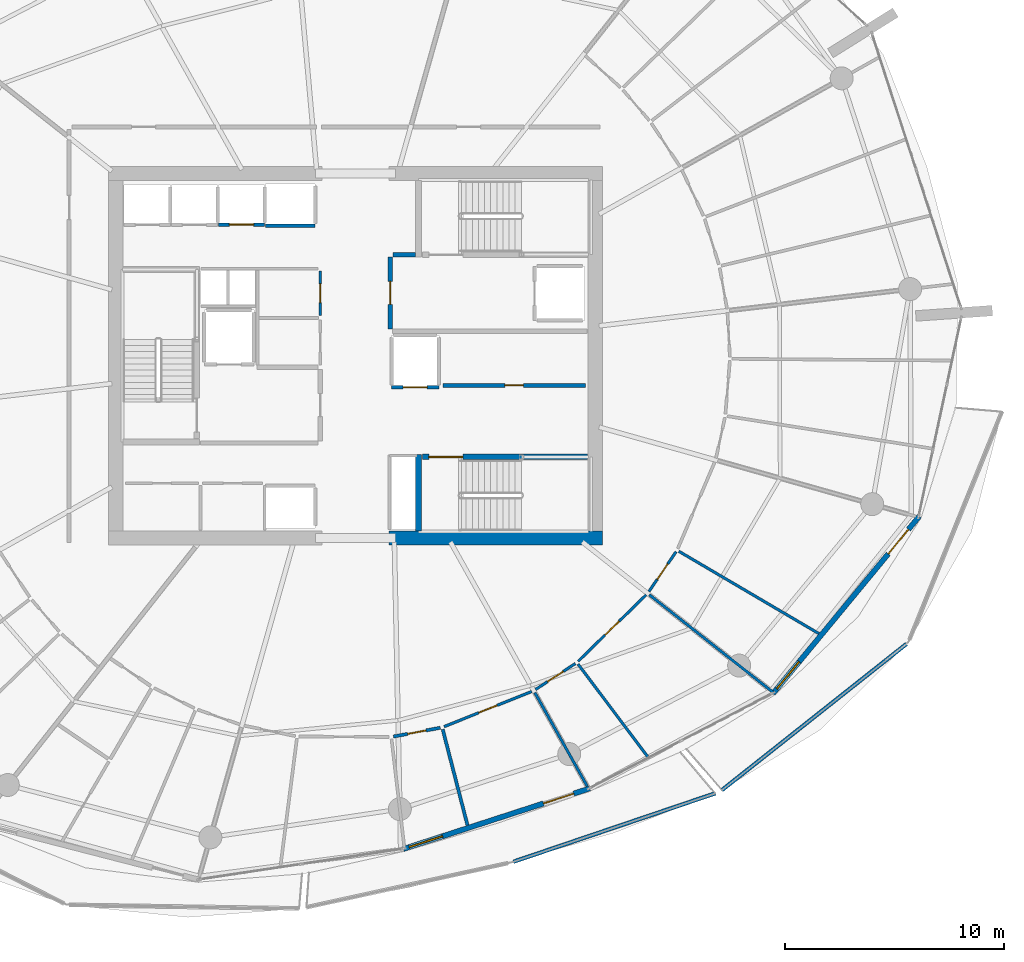
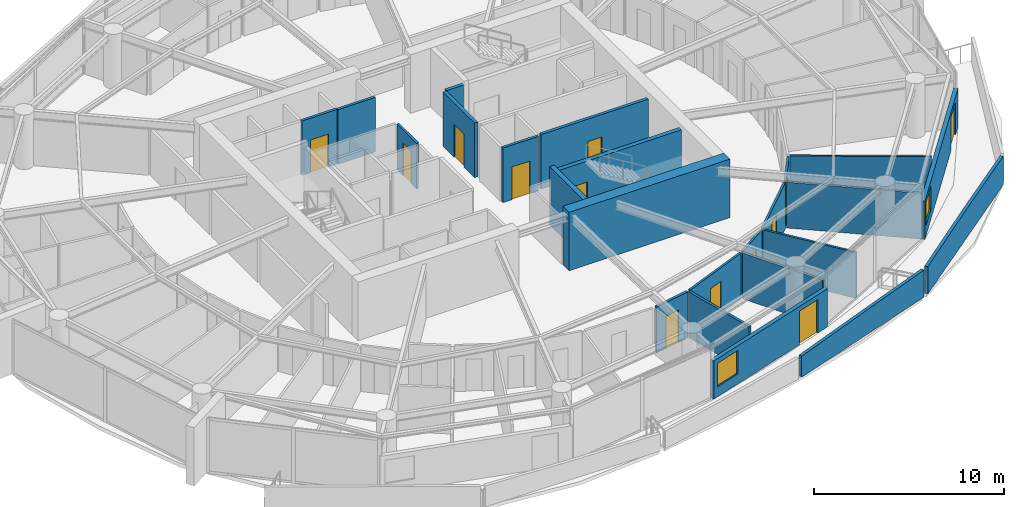
# One storey, part 13 of 21: 24 walls, 13 doors, 2 windows, 15 openings.
"""IFC4 building model written with IfcOpenShell, lengths in metres."""

from ifc_helpers import new_model, si_unit, direction, frame, frame_2d, origin, place, context, subcontext, project, spatial, polyline, rectangle, outline, extrude, material, layer, layer_set, type_object, element, fill, save


model = new_model("IFC4")

# Units and contexts
model_context = context("Model", 3, precision=1e-05, world=origin(), true_north=direction((0.0, 1.0)))
body_context = subcontext(model_context, "Body", "Model", "MODEL_VIEW")
ifc_project = project(units=[si_unit("LENGTHUNIT", "METRE"), si_unit("AREAUNIT", "SQUARE_METRE"), si_unit("VOLUMEUNIT", "CUBIC_METRE"), si_unit("PLANEANGLEUNIT", "RADIAN"), si_unit("MASSUNIT", "GRAM", prefix="KILO")], contexts=[model_context])

# Site, building, storey
site_placement = place(None, origin())
site = spatial("IfcSite", under=ifc_project, at=site_placement, CompositionType="ELEMENT")
building_placement = place(site_placement, origin())
building = spatial("IfcBuilding", under=site, at=building_placement, Name="Kazma Halo Residences", CompositionType="ELEMENT")
storey_placement = place(building_placement, frame((0.0, 0.0, 187.800048828125)))
storey = spatial("IfcBuildingStorey", under=building, at=storey_placement, Name="L47", CompositionType="ELEMENT", Elevation=187.800048828125)

# Walls
ifc_material_1 = material(Name="White Concrete C50/60 Balustrade", Category="concrete")
ifc_layer_1 = layer(ifc_material_1, 0.179931640625)
ifc_layer_set_1 = layer_set([ifc_layer_1], Name="White Concrete C50/60 Balustrade")
wall_type_1 = type_object("IfcWallType", Name="WL-BAL-WAVE-180", PredefinedType="PARAPET", material=ifc_layer_set_1)
wall_1_placement = place(storey_placement, frame((55.6337890625, 18.893798828125, 0.0), z_axis=(0.0, 0.0, 1.0), x_axis=(0.947048433124, 0.32109074312, 0.0)))
element("IfcWall", 1, at=wall_1_placement, inside=storey, type_object=wall_type_1, Name="L47 white wave balustrade wall SSE.2", PredefinedType="PARAPET", context=body_context, shape_type="SweptSolid", body=[
    extrude(outline(polyline([(0.0, 0.0), (9.736328125, 0.0), (9.736328125, 1.7470703125), (4.8681640625, 1.56201171875), (0.0, 1.347900390625), (0.0, 0.0)])), frame((0.0, 0.08984375, 0.0), z_axis=(0.0, -1.0, 0.0), x_axis=(1.0, 0.0, 0.0)), (0.0, 0.0, 1.0), 0.179931640625),
])
wall_2_placement = place(storey_placement, frame((65.153076171875, 22.1630859375, 0.0), z_axis=(0.0, 0.0, 1.0), x_axis=(0.783919701346, 0.620862224524, 0.0)))
element("IfcWall", 2, at=wall_2_placement, inside=storey, type_object=wall_type_1, Name="L47 white wave balustrade wall SE.1", PredefinedType="PARAPET", context=body_context, shape_type="SweptSolid", body=[
    extrude(outline(polyline([(0.0, 0.0), (10.75634765625, 0.0), (10.75634765625, 1.83203125), (5.378173828125, 1.85302734375), (0.0, 1.755859375), (0.0, 0.0)])), frame((0.0, 0.08984375, 0.0), z_axis=(0.0, -1.0, 0.0), x_axis=(1.0, 0.0, 0.0)), (0.0, 0.0, 1.0), 0.179931640625),
])
ifc_material_2 = material(Name="Concrete C60/75", Category="concrete")
ifc_layer_2 = layer(ifc_material_2, 0.64990234375)
ifc_layer_set_2 = layer_set([ifc_layer_2], Name="Concrete C60/75")
wall_type_2 = type_object("IfcWallType", Name="WL-CORE-650", PredefinedType="SHEAR", material=ifc_layer_set_2)
wall_3_placement = place(storey_placement, frame((49.949951171875, 33.675048828125, 0.0), z_axis=(0.0, 0.0, 1.0), x_axis=(1.0, 0.0, 0.0)))
element("IfcWall", 3, at=wall_3_placement, inside=storey, type_object=wall_type_2, Name="L47 central core shear wall SE", PredefinedType="SHEAR", context=body_context, shape_type="SweptSolid", body=[
    extrude(rectangle(XDim=9.75, YDim=0.64990234375, at=frame_2d((4.875, 0.0))), origin(), (0.0, 0.0, 1.0), 3.75),
])
ifc_layer_3 = layer(ifc_material_2, 0.280029296875)
ifc_layer_set_3 = layer_set([ifc_layer_3], Name="Concrete C60/75")
wall_type_3 = type_object("IfcWallType", Name="WL-CORE-ST-280", PredefinedType="SHEAR", material=ifc_layer_set_3)
wall_4_placement = place(storey_placement, frame((51.31005859375, 34.0, 0.0), z_axis=(0.0, 0.0, 1.0), x_axis=(0.0, 1.0, 0.0)))
element("IfcWall", 4, at=wall_4_placement, inside=storey, type_object=wall_type_3, Name="L47 stairwell bearing wall ST03-W", PredefinedType="SHEAR", context=body_context, shape_type="SweptSolid", body=[
    extrude(rectangle(XDim=3.5, YDim=0.280029296875, at=frame_2d((1.75, 0.0))), origin(), (0.0, 0.0, 1.0), 3.75),
])

# Wall, openings, door, window
ifc_material_3 = material(Name="Insulated Pale-Metal Composite Wall")
ifc_layer_4 = layer(ifc_material_3, 0.239990234375)
ifc_layer_set_4 = layer_set([ifc_layer_4], Name="Insulated Pale-Metal Composite Wall")
wall_type_4 = type_object("IfcWallType", Name="WL-EXT-HOST-240", PredefinedType="SOLIDWALL", material=ifc_layer_set_4)
wall_5_placement = place(storey_placement, frame((50.61572265625, 19.481201171875, 0.0), z_axis=(0.0, 0.0, 1.0), x_axis=(0.951058543936, 0.309010753869, 0.0)))
wall_5 = element("IfcWall", 5, at=wall_5_placement, inside=storey, type_object=wall_type_4, Name="L47 exterior terrace-access wall B12", PredefinedType="SOLIDWALL", context=body_context, shape_type="SweptSolid", body=[
    extrude(rectangle(XDim=8.942138671875, YDim=0.239990234375, at=frame_2d((4.47119140625, 0.0))), origin(), (0.0, 0.0, 1.0), 2.449951171875),
])
opening_1_placement = place(wall_5_placement, frame((6.721923828125, 0.0, 0.0)))
opening_1 = element("IfcOpeningElement", 6, at=opening_1_placement, cuts=wall_5, Name="Opening DTR-1600", PredefinedType="OPENING", context=body_context, shape_type="SweptSolid", body=[
    extrude(rectangle(XDim=1.449951171875, YDim=2.14990234375, at=frame_2d((0.72509765625, 1.074951171875))), frame((0.0, 0.1298828125, 0.0), z_axis=(0.0, -1.0, 0.0), x_axis=(1.0, 0.0, 0.0)), (0.0, 0.0, 1.0), 0.260009765625),
])
opening_2_placement = place(wall_5_placement, frame((0.280029296875, 0.0, 0.64990234375)))
opening_2 = element("IfcOpeningElement", 7, at=opening_2_placement, cuts=wall_5, Name="Opening W-1800", PredefinedType="OPENING", context=body_context, shape_type="SweptSolid", body=[
    extrude(rectangle(XDim=1.60009765625, YDim=1.5, at=frame_2d((0.800048828125, 0.75))), frame((0.0, 0.1298828125, 0.0), z_axis=(0.0, -1.0, 0.0), x_axis=(1.0, 0.0, 0.0)), (0.0, 0.0, 1.0), 0.260009765625),
])
ifc_material_4 = material(Name="Aluminium AW-6063 T6 Double-Glazed Terrace Door", Category="aluminium")
door_type_1 = type_object("IfcDoorType", Name="DR-EXT-TERR-1600", OperationType="NOTDEFINED", PredefinedType="DOOR", material=ifc_material_4)
door_1_placement = place(opening_1_placement, origin())
door_1 = element("IfcDoor", 8, at=door_1_placement, inside=storey, type_object=door_type_1, Name="L47 B12 balcony terrace door", OperationType="DOUBLE_DOOR_SLIDING", OverallHeight=2.14990234375, OverallWidth=1.449951171875, PredefinedType="DOOR", context=body_context, shape_type="SweptSolid", body=[
    extrude(rectangle(XDim=1.449951171875, YDim=2.14990234375, at=frame_2d((0.72509765625, 1.074951171875))), frame((0.0, 0.02490234375, 0.0), z_axis=(0.0, -1.0, 0.0), x_axis=(1.0, 0.0, 0.0)), (0.0, 0.0, 1.0), 0.050048828125),
])
fill(opening_1, door_1)
ifc_material_5 = material(Name="Clear Triple-Silver Low-E Glass in Aluminium AW-6063 T6 Frame", Category="aluminium")
window_type = type_object("IfcWindowType", Name="WIN-RES-1800", PartitioningType="DOUBLE_PANEL_VERTICAL", PredefinedType="WINDOW", material=ifc_material_5)
window_1_placement = place(opening_2_placement, origin())
window_1 = element("IfcWindow", 9, at=window_1_placement, inside=storey, type_object=window_type, Name="L47 B12 apartment window", OverallHeight=1.5, OverallWidth=1.60009765625, PartitioningType="SINGLE_PANEL", PredefinedType="WINDOW", context=body_context, shape_type="SweptSolid", body=[
    extrude(rectangle(XDim=1.60009765625, YDim=1.5, at=frame_2d((0.800048828125, 0.75))), frame((0.0, 0.030029296875, 0.0), z_axis=(0.0, -1.0, 0.0), x_axis=(1.0, 0.0, 0.0)), (0.0, 0.0, 1.0), 0.06005859375),
])
fill(opening_2, window_1)

wall_6_placement = place(storey_placement, frame((67.485107421875, 26.57568359375, 0.0), z_axis=(0.0, 0.0, 1.0), x_axis=(0.636759394418, 0.771062561418, 0.0)))
wall_6 = element("IfcWall", 10, at=wall_6_placement, inside=storey, type_object=wall_type_4, Name="L47 exterior terrace-access wall B14", PredefinedType="SOLIDWALL", context=body_context, shape_type="SweptSolid", body=[
    extrude(rectangle(XDim=10.494384765625, YDim=0.239990234375, at=frame_2d((5.2470703125, 0.0))), origin(), (0.0, 0.0, 1.0), 2.449951171875),
])
opening_3_placement = place(wall_6_placement, frame((8.2744140625, 0.0, 0.0)))
opening_3 = element("IfcOpeningElement", 11, at=opening_3_placement, cuts=wall_6, Name="Opening DTR-1600", PredefinedType="OPENING", context=body_context, shape_type="SweptSolid", body=[
    extrude(rectangle(XDim=1.449951171875, YDim=2.14990234375, at=frame_2d((0.72509765625, 1.074951171875))), frame((0.0, 0.1298828125, 0.0), z_axis=(0.0, -1.0, 0.0), x_axis=(1.0, 0.0, 0.0)), (0.0, 0.0, 1.0), 0.260009765625),
])
opening_4_placement = place(wall_6_placement, frame((0.280029296875, 0.0, 0.64990234375)))
opening_4 = element("IfcOpeningElement", 12, at=opening_4_placement, cuts=wall_6, Name="Opening W-1800", PredefinedType="OPENING", context=body_context, shape_type="SweptSolid", body=[
    extrude(rectangle(XDim=1.60009765625, YDim=1.5, at=frame_2d((0.800048828125, 0.75))), frame((0.0, 0.1298828125, 0.0), z_axis=(0.0, -1.0, 0.0), x_axis=(1.0, 0.0, 0.0)), (0.0, 0.0, 1.0), 0.260009765625),
])
door_2_placement = place(opening_3_placement, origin())
door_2 = element("IfcDoor", 13, at=door_2_placement, inside=storey, type_object=door_type_1, Name="L47 B14 balcony terrace door", OperationType="DOUBLE_DOOR_SLIDING", OverallHeight=2.14990234375, OverallWidth=1.449951171875, PredefinedType="DOOR", context=body_context, shape_type="SweptSolid", body=[
    extrude(rectangle(XDim=1.449951171875, YDim=2.14990234375, at=frame_2d((0.72509765625, 1.074951171875))), frame((0.0, 0.02490234375, 0.0), z_axis=(0.0, -1.0, 0.0), x_axis=(1.0, 0.0, 0.0)), (0.0, 0.0, 1.0), 0.050048828125),
])
fill(opening_3, door_2)
window_2_placement = place(opening_4_placement, origin())
window_2 = element("IfcWindow", 14, at=window_2_placement, inside=storey, type_object=window_type, Name="L47 B14 apartment window", OverallHeight=1.5, OverallWidth=1.60009765625, PartitioningType="SINGLE_PANEL", PredefinedType="WINDOW", context=body_context, shape_type="SweptSolid", body=[
    extrude(rectangle(XDim=1.60009765625, YDim=1.5, at=frame_2d((0.800048828125, 0.75))), frame((0.0, 0.030029296875, 0.0), z_axis=(0.0, -1.0, 0.0), x_axis=(1.0, 0.0, 0.0)), (0.0, 0.0, 1.0), 0.06005859375),
])
fill(opening_4, window_2)

# Wall, opening, door
ifc_material_6 = material(Name="Fire-Rated Blockwork Masonry", Category="masonry")
ifc_layer_5 = layer(ifc_material_6, 0.199951171875)
ifc_layer_set_5 = layer_set([ifc_layer_5], Name="Fire-Rated Blockwork Masonry")
wall_type_5 = type_object("IfcWallType", Name="WL-FLB-200", PredefinedType="PARTITIONING", material=ifc_layer_set_5)
wall_7_placement = place(storey_placement, frame((44.27490234375, 47.9951171875, 0.0), z_axis=(0.0, 0.0, 1.0), x_axis=(-1.0, 0.0, 0.0)))
wall_7 = element("IfcWall", 15, at=wall_7_placement, inside=storey, type_object=wall_type_5, Name="L47 lift shaft PM-03 front wall", PredefinedType="PARTITIONING", context=body_context, shape_type="SweptSolid", body=[
    extrude(rectangle(XDim=2.10986328125, YDim=0.159912109375, at=frame_2d((1.054931640625, 0.0))), origin(), (0.0, 0.0, 1.0), 3.5),
])
opening_5_placement = place(wall_7_placement, frame((0.5048828125, 0.0, 0.0)))
opening_5 = element("IfcOpeningElement", 16, at=opening_5_placement, cuts=wall_7, Name="Opening LD-PM-03", PredefinedType="OPENING", context=body_context, shape_type="SweptSolid", body=[
    extrude(rectangle(XDim=1.10009765625, YDim=2.10009765625, at=frame_2d((0.550048828125, 1.050048828125))), frame((0.0, 0.08984375, 0.0), z_axis=(0.0, -1.0, 0.0), x_axis=(1.0, 0.0, 0.0)), (0.0, 0.0, 1.0), 0.179931640625),
])
ifc_material_7 = material(Name="Stainless Steel Fire-Rated", Category="steel")
door_type_2 = type_object("IfcDoorType", Name="DR-LIFT-SLD-1100", OperationType="DOUBLE_DOOR_SLIDING", PredefinedType="DOOR", material=ifc_material_7)
door_3_placement = place(opening_5_placement, origin())
door_3 = element("IfcDoor", 17, at=door_3_placement, inside=storey, type_object=door_type_2, Name="L47 lift PM-03 sliding landing door", OperationType="DOUBLE_DOOR_SLIDING", OverallHeight=2.10009765625, OverallWidth=1.10009765625, PredefinedType="DOOR", context=body_context, shape_type="SweptSolid", body=[
    extrude(rectangle(XDim=1.10009765625, YDim=2.10009765625, at=frame_2d((0.550048828125, 1.050048828125))), frame((0.0, 0.02490234375, 0.0), z_axis=(0.0, -1.0, 0.0), x_axis=(1.0, 0.0, 0.0)), (0.0, 0.0, 1.0), 0.050048828125),
])
fill(opening_5, door_3)

# Wall
wall_8_placement = place(storey_placement, frame((46.580078125, 47.945068359375, 0.0), z_axis=(0.0, 0.0, 1.0), x_axis=(-1.0, 0.0, 0.0)))
element("IfcWall", 18, at=wall_8_placement, inside=storey, type_object=wall_type_5, Name="L47 lift shaft PX-01 front wall", PredefinedType="PARTITIONING", context=body_context, shape_type="SweptSolid", body=[
    extrude(rectangle(XDim=2.260009765625, YDim=0.159912109375, at=frame_2d((1.1298828125, 0.0))), origin(), (0.0, 0.0, 1.0), 3.5),
])

# Wall, opening, door
wall_9_placement = place(storey_placement, frame((52.22998046875, 40.570068359375, 0.0), z_axis=(0.0, 0.0, 1.0), x_axis=(-1.0, 0.0, 0.0)))
wall_9 = element("IfcWall", 19, at=wall_9_placement, inside=storey, type_object=wall_type_5, Name="L47 lift shaft SV-01 front wall", PredefinedType="PARTITIONING", context=body_context, shape_type="SweptSolid", body=[
    extrude(rectangle(XDim=2.159912109375, YDim=0.159912109375, at=frame_2d((1.080078125, 0.0))), origin(), (0.0, 0.0, 1.0), 3.5),
])
opening_6_placement = place(wall_9_placement, frame((0.530029296875, 0.0, 0.0)))
opening_6 = element("IfcOpeningElement", 20, at=opening_6_placement, cuts=wall_9, Name="Opening LD-SV-01", PredefinedType="OPENING", context=body_context, shape_type="SweptSolid", body=[
    extrude(rectangle(XDim=1.10009765625, YDim=2.10009765625, at=frame_2d((0.550048828125, 1.050048828125))), frame((0.0, 0.08984375, 0.0), z_axis=(0.0, -1.0, 0.0), x_axis=(1.0, 0.0, 0.0)), (0.0, 0.0, 1.0), 0.179931640625),
])
door_4_placement = place(opening_6_placement, origin())
door_4 = element("IfcDoor", 21, at=door_4_placement, inside=storey, type_object=door_type_2, Name="L47 lift SV-01 sliding landing door", OperationType="DOUBLE_DOOR_SLIDING", OverallHeight=2.10009765625, OverallWidth=1.10009765625, PredefinedType="DOOR", context=body_context, shape_type="SweptSolid", body=[
    extrude(rectangle(XDim=1.10009765625, YDim=2.10009765625, at=frame_2d((0.550048828125, 1.050048828125))), frame((0.0, 0.02490234375, 0.0), z_axis=(0.0, -1.0, 0.0), x_axis=(1.0, 0.0, 0.0)), (0.0, 0.0, 1.0), 0.050048828125),
])
fill(opening_6, door_4)

wall_10_placement = place(storey_placement, frame((52.419921875, 40.64990234375, 0.0), z_axis=(0.0, 0.0, 1.0), x_axis=(1.0, 0.0, 0.0)))
wall_10 = element("IfcWall", 22, at=wall_10_placement, inside=storey, type_object=wall_type_5, Name="L47 core east reserve wall", PredefinedType="PARTITIONING", context=body_context, shape_type="SweptSolid", body=[
    extrude(rectangle(XDim=6.5, YDim=0.179931640625, at=frame_2d((3.25, 0.0))), origin(), (0.0, 0.0, 1.0), 3.5),
])
opening_7_placement = place(wall_10_placement, frame((2.824951171875, 0.0, 0.0)))
opening_7 = element("IfcOpeningElement", 23, at=opening_7_placement, cuts=wall_10, Name="Opening DS-850", PredefinedType="OPENING", context=body_context, shape_type="SweptSolid", body=[
    extrude(rectangle(XDim=0.85009765625, YDim=2.06005859375, at=frame_2d((0.425048828125, 1.030029296875))), frame((0.0, 0.099853515625, 0.0), z_axis=(0.0, -1.0, 0.0), x_axis=(1.0, 0.0, 0.0)), (0.0, 0.0, 1.0), 0.199951171875),
])
ifc_material_8 = material(Name="Painted Steel Access Leaf", Category="steel")
door_type_3 = type_object("IfcDoorType", Name="DR-SVC-850", OperationType="NOTDEFINED", PredefinedType="DOOR", material=ifc_material_8)
door_5_placement = place(opening_7_placement, origin())
door_5 = element("IfcDoor", 24, at=door_5_placement, inside=storey, type_object=door_type_3, Name="L47 core east reserve door", OperationType="SINGLE_SWING_RIGHT", OverallHeight=2.06005859375, OverallWidth=0.85009765625, PredefinedType="DOOR", context=body_context, shape_type="SweptSolid", body=[
    extrude(rectangle(XDim=0.85009765625, YDim=2.06005859375, at=frame_2d((0.425048828125, 1.030029296875))), frame((0.0, 0.02490234375, 0.0), z_axis=(0.0, -1.0, 0.0), x_axis=(1.0, 0.0, 0.0)), (0.0, 0.0, 1.0), 0.050048828125),
])
fill(opening_7, door_5)

# Wall
wall_11_placement = place(storey_placement, frame((50.139892578125, 46.6201171875, 0.0), z_axis=(0.0, 0.0, 1.0), x_axis=(1.0, 0.0, 0.0)))
element("IfcWall", 25, at=wall_11_placement, inside=storey, type_object=wall_type_5, Name="L47 east firefighting lobby north closure wall", PredefinedType="PARTITIONING", context=body_context, shape_type="SweptSolid", body=[
    extrude(rectangle(XDim=1.02001953125, YDim=0.199951171875, at=frame_2d((0.510009765625, 0.0))), origin(), (0.0, 0.0, 1.0), 3.5),
])

# Wall, opening, door
wall_12_placement = place(storey_placement, frame((50.02001953125, 43.219970703125, 0.0), z_axis=(0.0, 0.0, 1.0), x_axis=(0.0, 1.0, 0.0)))
wall_12 = element("IfcWall", 26, at=wall_12_placement, inside=storey, type_object=wall_type_5, Name="L47 east firefighting lobby smoke wall", PredefinedType="PARTITIONING", context=body_context, shape_type="SweptSolid", body=[
    extrude(rectangle(XDim=3.300048828125, YDim=0.199951171875, at=frame_2d((1.64990234375, 0.0))), origin(), (0.0, 0.0, 1.0), 3.5),
])
opening_8_placement = place(wall_12_placement, frame((1.125, 0.0, 0.0)))
opening_8 = element("IfcOpeningElement", 27, at=opening_8_placement, cuts=wall_12, Name="Opening D-FLE", PredefinedType="OPENING", context=body_context, shape_type="SweptSolid", body=[
    extrude(rectangle(XDim=1.050048828125, YDim=2.10009765625, at=frame_2d((0.52490234375, 1.050048828125))), frame((0.0, 0.10986328125, 0.0), z_axis=(0.0, -1.0, 0.0), x_axis=(1.0, 0.0, 0.0)), (0.0, 0.0, 1.0), 0.219970703125),
])
ifc_material_9 = material(Name="Fire-Rated Steel Leaf", Category="steel")
door_type_4 = type_object("IfcDoorType", Name="DR-FD90-1050", OperationType="NOTDEFINED", PredefinedType="DOOR", material=ifc_material_9)
door_6_placement = place(opening_8_placement, origin())
door_6 = element("IfcDoor", 28, at=door_6_placement, inside=storey, type_object=door_type_4, Name="L47 east firefighting lobby smoke door", OperationType="SINGLE_SWING_LEFT", OverallHeight=2.10009765625, OverallWidth=1.050048828125, PredefinedType="DOOR", context=body_context, shape_type="SweptSolid", body=[
    extrude(rectangle(XDim=1.050048828125, YDim=2.10009765625, at=frame_2d((0.52490234375, 1.050048828125))), frame((0.0, 0.02490234375, 0.0), z_axis=(0.0, -1.0, 0.0), x_axis=(1.0, 0.0, 0.0)), (0.0, 0.0, 1.0), 0.050048828125),
])
fill(opening_8, door_6)

ifc_material_10 = material(Name="Gypsum Plasterboard Partition")
ifc_layer_6 = layer(ifc_material_10, 0.125)
ifc_layer_set_6 = layer_set([ifc_layer_6], Name="Gypsum Plasterboard Partition")
wall_type_6 = type_object("IfcWallType", Name="WL-PART-125", PredefinedType="PARTITIONING", material=ifc_layer_set_6)
wall_13_placement = place(storey_placement, frame((46.820068359375, 43.830078125, 0.0), z_axis=(0.0, 0.0, 1.0), x_axis=(0.0, 1.0, 0.0)))
wall_13 = element("IfcWall", 29, at=wall_13_placement, inside=storey, type_object=wall_type_6, Name="L47 telecom IDF room east wall", PredefinedType="PARTITIONING", context=body_context, shape_type="SweptSolid", body=[
    extrude(rectangle(XDim=2.0498046875, YDim=0.125, at=frame_2d((1.02490234375, 0.0))), origin(), (0.0, 0.0, 1.0), 2.93994140625),
])
opening_9_placement = place(wall_13_placement, frame((0.60009765625, 0.0, 0.0)))
opening_9 = element("IfcOpeningElement", 30, at=opening_9_placement, cuts=wall_13, Name="Opening DS-850", PredefinedType="OPENING", context=body_context, shape_type="SweptSolid", body=[
    extrude(rectangle(XDim=0.85009765625, YDim=2.06005859375, at=frame_2d((0.425048828125, 1.030029296875))), frame((0.0, 0.072509765625, 0.0), z_axis=(0.0, -1.0, 0.0), x_axis=(1.0, 0.0, 0.0)), (0.0, 0.0, 1.0), 0.14501953125),
])
door_7_placement = place(opening_9_placement, origin())
door_7 = element("IfcDoor", 31, at=door_7_placement, inside=storey, type_object=door_type_3, Name="L47 telecom IDF room door", OperationType="SINGLE_SWING_LEFT", OverallHeight=2.06005859375, OverallWidth=0.85009765625, PredefinedType="DOOR", context=body_context, shape_type="SweptSolid", body=[
    extrude(rectangle(XDim=0.85009765625, YDim=2.06005859375, at=frame_2d((0.425048828125, 1.030029296875))), frame((0.0, 0.02490234375, 0.0), z_axis=(0.0, -1.0, 0.0), x_axis=(1.0, 0.0, 0.0)), (0.0, 0.0, 1.0), 0.050048828125),
])
fill(opening_9, door_7)

wall_14_placement = place(storey_placement, frame((52.468994140625, 25.06396484375, 0.0), z_axis=(0.0, 0.0, 1.0), x_axis=(0.928030941282, 0.372503116796, 0.0)))
wall_14 = element("IfcWall", 32, at=wall_14_placement, inside=storey, type_object=wall_type_6, Name="L47 Apartment 3 West Master Bedroom hall wall", PredefinedType="PARTITIONING", context=body_context, shape_type="SweptSolid", body=[
    extrude(rectangle(XDim=4.3125, YDim=0.125, at=frame_2d((2.15625, 0.0))), origin(), (0.0, 0.0, 1.0), 2.93994140625),
])
opening_10_placement = place(wall_14_placement, frame((1.706298828125, 0.0, 0.0)))
opening_10 = element("IfcOpeningElement", 33, at=opening_10_placement, cuts=wall_14, Name="Opening DI-950", PredefinedType="OPENING", context=body_context, shape_type="SweptSolid", body=[
    extrude(rectangle(XDim=0.89990234375, YDim=2.080078125, at=frame_2d((0.449951171875, 1.0400390625))), frame((0.0, 0.072509765625, 0.0), z_axis=(0.0, -1.0, 0.0), x_axis=(1.0, 0.0, 0.0)), (0.0, 0.0, 1.0), 0.14501953125),
])
ifc_material_11 = material(Name="Timber Veneer Flush Leaf", Category="wood")
door_type_5 = type_object("IfcDoorType", Name="DR-INT-950", OperationType="NOTDEFINED", PredefinedType="DOOR", material=ifc_material_11)
door_8_placement = place(opening_10_placement, origin())
door_8 = element("IfcDoor", 34, at=door_8_placement, inside=storey, type_object=door_type_5, Name="L47 Apartment 3 West Master Bedroom door", OperationType="SINGLE_SWING_LEFT", OverallHeight=2.080078125, OverallWidth=0.89990234375, PredefinedType="DOOR", context=body_context, shape_type="SweptSolid", body=[
    extrude(rectangle(XDim=0.89990234375, YDim=2.080078125, at=frame_2d((0.449951171875, 1.0400390625))), frame((0.0, 0.02490234375, 0.0), z_axis=(0.0, -1.0, 0.0), x_axis=(1.0, 0.0, 0.0)), (0.0, 0.0, 1.0), 0.050048828125),
])
fill(opening_10, door_8)

# Walls
wall_15_placement = place(storey_placement, frame((56.613037109375, 26.62060546875, 0.0), z_axis=(0.0, 0.0, 1.0), x_axis=(0.488583679293, -0.872517041856, 0.0)))
element("IfcWall", 35, at=wall_15_placement, inside=storey, type_object=wall_type_6, Name="L47 Apartment 3 radial partition 12", PredefinedType="PARTITIONING", context=body_context, shape_type="SweptSolid", body=[
    extrude(rectangle(XDim=4.908447265625, YDim=0.125, at=frame_2d((2.4541015625, 0.0))), origin(), (0.0, 0.0, 1.0), 2.93994140625),
])
wall_16_placement = place(storey_placement, frame((58.588623046875, 27.92041015625, 0.0), z_axis=(0.0, 0.0, 1.0), x_axis=(0.601049014417, -0.799212163489, 0.0)))
element("IfcWall", 36, at=wall_16_placement, inside=storey, type_object=wall_type_6, Name="L47 Apartment 3 mid-bay wall 12", PredefinedType="PARTITIONING", context=body_context, shape_type="SweptSolid", body=[
    extrude(rectangle(XDim=5.322265625, YDim=0.125, at=frame_2d((2.6611328125, 0.0))), origin(), (0.0, 0.0, 1.0), 2.93994140625),
])

# Wall, opening, door
wall_17_placement = place(storey_placement, frame((56.64794921875, 26.762451171875, 0.0), z_axis=(0.0, 0.0, 1.0), x_axis=(0.837746976104, 0.546058608602, 0.0)))
wall_17 = element("IfcWall", 37, at=wall_17_placement, inside=storey, type_object=wall_type_6, Name="L47 Apartment 3 North Bedroom hall wall", PredefinedType="PARTITIONING", context=body_context, shape_type="SweptSolid", body=[
    extrude(rectangle(XDim=2.171875, YDim=0.125, at=frame_2d((1.0859375, 0.0))), origin(), (0.0, 0.0, 1.0), 2.93994140625),
])
opening_11_placement = place(wall_17_placement, frame((0.6611328125, 0.0, 0.0)))
opening_11 = element("IfcOpeningElement", 38, at=opening_11_placement, cuts=wall_17, Name="Opening DB-900", PredefinedType="OPENING", context=body_context, shape_type="SweptSolid", body=[
    extrude(rectangle(XDim=0.85009765625, YDim=2.06005859375, at=frame_2d((0.425048828125, 1.030029296875))), frame((0.0, 0.072509765625, 0.0), z_axis=(0.0, -1.0, 0.0), x_axis=(1.0, 0.0, 0.0)), (0.0, 0.0, 1.0), 0.14501953125),
])
ifc_material_12 = material(Name="Moisture-Sealed Timber Leaf", Category="wood")
door_type_6 = type_object("IfcDoorType", Name="DR-BTH-900", OperationType="NOTDEFINED", PredefinedType="DOOR", material=ifc_material_12)
door_9_placement = place(opening_11_placement, origin())
door_9 = element("IfcDoor", 39, at=door_9_placement, inside=storey, type_object=door_type_6, Name="L47 Apartment 3 North Bedroom door", OperationType="SINGLE_SWING_RIGHT", OverallHeight=2.06005859375, OverallWidth=0.85009765625, PredefinedType="DOOR", context=body_context, shape_type="SweptSolid", body=[
    extrude(rectangle(XDim=0.85009765625, YDim=2.06005859375, at=frame_2d((0.425048828125, 1.030029296875))), frame((0.0, 0.02490234375, 0.0), z_axis=(0.0, -1.0, 0.0), x_axis=(1.0, 0.0, 0.0)), (0.0, 0.0, 1.0), 0.050048828125),
])
fill(opening_11, door_9)

wall_18_placement = place(storey_placement, frame((58.591796875, 28.048095703125, 0.0), z_axis=(0.0, 0.0, 1.0), x_axis=(0.715112359848, 0.699009522677, 0.0)))
wall_18 = element("IfcWall", 40, at=wall_18_placement, inside=storey, type_object=wall_type_6, Name="L47 Apartment 3 South Bedroom hall wall", PredefinedType="PARTITIONING", context=body_context, shape_type="SweptSolid", body=[
    extrude(rectangle(XDim=4.336181640625, YDim=0.125, at=frame_2d((2.16796875, 0.0))), origin(), (0.0, 0.0, 1.0), 2.93994140625),
])
opening_12_placement = place(wall_18_placement, frame((1.718017578125, 0.0, 0.0)))
opening_12 = element("IfcOpeningElement", 41, at=opening_12_placement, cuts=wall_18, Name="Opening DI-950", PredefinedType="OPENING", context=body_context, shape_type="SweptSolid", body=[
    extrude(rectangle(XDim=0.89990234375, YDim=2.080078125, at=frame_2d((0.449951171875, 1.0400390625))), frame((0.0, 0.072509765625, 0.0), z_axis=(0.0, -1.0, 0.0), x_axis=(1.0, 0.0, 0.0)), (0.0, 0.0, 1.0), 0.14501953125),
])
door_10_placement = place(opening_12_placement, origin())
door_10 = element("IfcDoor", 42, at=door_10_placement, inside=storey, type_object=door_type_5, Name="L47 Apartment 3 South Bedroom door", OperationType="SINGLE_SWING_LEFT", OverallHeight=2.080078125, OverallWidth=0.89990234375, PredefinedType="DOOR", context=body_context, shape_type="SweptSolid", body=[
    extrude(rectangle(XDim=0.89990234375, YDim=2.080078125, at=frame_2d((0.449951171875, 1.0400390625))), frame((0.0, 0.02490234375, 0.0), z_axis=(0.0, -1.0, 0.0), x_axis=(1.0, 0.0, 0.0)), (0.0, 0.0, 1.0), 0.050048828125),
])
fill(opening_12, door_10)

# Walls
wall_19_placement = place(storey_placement, frame((61.8427734375, 31.087158203125, 0.0), z_axis=(0.0, 0.0, 1.0), x_axis=(0.785327813677, -0.619080144299, 0.0)))
element("IfcWall", 43, at=wall_19_placement, inside=storey, type_object=wall_type_6, Name="L47 Apartment 3 radial partition 13", PredefinedType="PARTITIONING", context=body_context, shape_type="SweptSolid", body=[
    extrude(rectangle(XDim=7.2001953125, YDim=0.125, at=frame_2d((3.60009765625, 0.0))), origin(), (0.0, 0.0, 1.0), 2.93994140625),
])
wall_20_placement = place(storey_placement, frame((63.188232421875, 33.073974609375, 0.0), z_axis=(0.0, 0.0, 1.0), x_axis=(0.862139654636, -0.506670717433, 0.0)))
element("IfcWall", 44, at=wall_20_placement, inside=storey, type_object=wall_type_6, Name="L47 Apartment 3 mid-bay wall 13", PredefinedType="PARTITIONING", context=body_context, shape_type="SweptSolid", body=[
    extrude(rectangle(XDim=7.4208984375, YDim=0.125, at=frame_2d((3.71044921875, 0.0))), origin(), (0.0, 0.0, 1.0), 2.93994140625),
])

# Wall, opening, door
wall_21_placement = place(storey_placement, frame((61.820556640625, 31.231689453125, 0.0), z_axis=(0.0, 0.0, 1.0), x_axis=(0.56426341076, 0.82559481786, 0.0)))
wall_21 = element("IfcWall", 45, at=wall_21_placement, inside=storey, type_object=wall_type_6, Name="L47 Apartment 3 Inner Private Study hall wall", PredefinedType="PARTITIONING", context=body_context, shape_type="SweptSolid", body=[
    extrude(rectangle(XDim=2.20654296875, YDim=0.125, at=frame_2d((1.103271484375, 0.0))), origin(), (0.0, 0.0, 1.0), 2.93994140625),
])
opening_13_placement = place(wall_21_placement, frame((0.67822265625, 0.0, 0.0)))
opening_13 = element("IfcOpeningElement", 46, at=opening_13_placement, cuts=wall_21, Name="Opening DB-900", PredefinedType="OPENING", context=body_context, shape_type="SweptSolid", body=[
    extrude(rectangle(XDim=0.85009765625, YDim=2.06005859375, at=frame_2d((0.425048828125, 1.030029296875))), frame((0.0, 0.072509765625, 0.0), z_axis=(0.0, -1.0, 0.0), x_axis=(1.0, 0.0, 0.0)), (0.0, 0.0, 1.0), 0.14501953125),
])
door_11_placement = place(opening_13_placement, origin())
door_11 = element("IfcDoor", 47, at=door_11_placement, inside=storey, type_object=door_type_6, Name="L47 Apartment 3 Inner Private Study door", OperationType="SINGLE_SWING_LEFT", OverallHeight=2.06005859375, OverallWidth=0.85009765625, PredefinedType="DOOR", context=body_context, shape_type="SweptSolid", body=[
    extrude(rectangle(XDim=0.85009765625, YDim=2.06005859375, at=frame_2d((0.425048828125, 1.030029296875))), frame((0.0, 0.02490234375, 0.0), z_axis=(0.0, -1.0, 0.0), x_axis=(1.0, 0.0, 0.0)), (0.0, 0.0, 1.0), 0.050048828125),
])
fill(opening_13, door_11)

ifc_material_13 = material(Name="Concrete C50/60", Category="concrete")
ifc_layer_7 = layer(ifc_material_13, 0.25)
ifc_layer_set_7 = layer_set([ifc_layer_7], Name="Concrete C50/60")
wall_type_7 = type_object("IfcWallType", Name="WL-SHF-250", PredefinedType="SOLIDWALL", material=ifc_layer_set_7)
wall_22_placement = place(storey_placement, frame((51.47998046875, 37.3798828125, 0.0), z_axis=(0.0, 0.0, 1.0), x_axis=(1.0, 0.0, 0.0)))
wall_22 = element("IfcWall", 48, at=wall_22_placement, inside=storey, type_object=wall_type_7, Name="L47 exit stair ST-03 enclosure wall", PredefinedType="SOLIDWALL", context=body_context, shape_type="SweptSolid", body=[
    extrude(rectangle(XDim=7.5400390625, YDim=0.25, at=frame_2d((3.77001953125, 0.0))), origin(), (0.0, 0.0, 1.0), 3.5),
])
opening_14_placement = place(wall_22_placement, frame((0.300048828125, 0.0, 0.0)))
opening_14 = element("IfcOpeningElement", 49, at=opening_14_placement, cuts=wall_22, Name="Opening D-ST3", PredefinedType="OPENING", context=body_context, shape_type="SweptSolid", body=[
    extrude(rectangle(XDim=1.550048828125, YDim=2.14990234375, at=frame_2d((0.77490234375, 1.074951171875))), frame((0.0, 0.135009765625, 0.0), z_axis=(0.0, -1.0, 0.0), x_axis=(1.0, 0.0, 0.0)), (0.0, 0.0, 1.0), 0.27001953125),
])
ifc_material_14 = material(Name="Fire-Rated Double Steel Leaf", Category="steel")
door_type_7 = type_object("IfcDoorType", Name="DR-FD90-1550", OperationType="NOTDEFINED", PredefinedType="DOOR", material=ifc_material_14)
door_12_placement = place(opening_14_placement, origin())
door_12 = element("IfcDoor", 50, at=door_12_placement, inside=storey, type_object=door_type_7, Name="L47 exit stair ST-03 fire door", OperationType="DOUBLE_DOOR_SINGLE_SWING", OverallHeight=2.14990234375, OverallWidth=1.550048828125, PredefinedType="DOOR", context=body_context, shape_type="SweptSolid", body=[
    extrude(rectangle(XDim=1.550048828125, YDim=2.14990234375, at=frame_2d((0.77490234375, 1.074951171875))), frame((0.0, 0.02490234375, 0.0), z_axis=(0.0, -1.0, 0.0), x_axis=(1.0, 0.0, 0.0)), (0.0, 0.0, 1.0), 0.050048828125),
])
fill(opening_14, door_12)

ifc_material_15 = material(Name="Moisture-Resistant Gypsum")
ifc_layer_8 = layer(ifc_material_15, 0.14990234375)
ifc_layer_set_8 = layer_set([ifc_layer_8], Name="Moisture-Resistant Gypsum")
wall_type_8 = type_object("IfcWallType", Name="WL-WET-150", PredefinedType="PARTITIONING", material=ifc_layer_set_8)
wall_23_placement = place(storey_placement, frame((50.158447265625, 24.61279296875, 0.0), z_axis=(0.0, 0.0, 1.0), x_axis=(0.982858210634, 0.184363059718, 0.0)))
wall_23 = element("IfcWall", 51, at=wall_23_placement, inside=storey, type_object=wall_type_8, Name="L47 Apartment 3 East En-Suite Bathroom hall wall", PredefinedType="PARTITIONING", context=body_context, shape_type="SweptSolid", body=[
    extrude(rectangle(XDim=2.17578125, YDim=0.14990234375, at=frame_2d((1.087890625, 0.0))), origin(), (0.0, 0.0, 1.0), 2.93994140625),
])
opening_15_placement = place(wall_23_placement, frame((0.662841796875, 0.0, 0.0)))
opening_15 = element("IfcOpeningElement", 52, at=opening_15_placement, cuts=wall_23, Name="Opening DB-900", PredefinedType="OPENING", context=body_context, shape_type="SweptSolid", body=[
    extrude(rectangle(XDim=0.85009765625, YDim=2.06005859375, at=frame_2d((0.425048828125, 1.030029296875))), frame((0.0, 0.0849609375, 0.0), z_axis=(0.0, -1.0, 0.0), x_axis=(1.0, 0.0, 0.0)), (0.0, 0.0, 1.0), 0.169921875),
])
door_13_placement = place(opening_15_placement, origin())
door_13 = element("IfcDoor", 53, at=door_13_placement, inside=storey, type_object=door_type_6, Name="L47 Apartment 3 East En-Suite Bathroom door", OperationType="SINGLE_SWING_LEFT", OverallHeight=2.06005859375, OverallWidth=0.85009765625, PredefinedType="DOOR", context=body_context, shape_type="SweptSolid", body=[
    extrude(rectangle(XDim=0.85009765625, YDim=2.06005859375, at=frame_2d((0.425048828125, 1.030029296875))), frame((0.0, 0.02490234375, 0.0), z_axis=(0.0, -1.0, 0.0), x_axis=(1.0, 0.0, 0.0)), (0.0, 0.0, 1.0), 0.050048828125),
])
fill(opening_15, door_13)

# Wall
wall_24_placement = place(storey_placement, frame((52.407958984375, 24.943359375, 0.0), z_axis=(0.0, 0.0, 1.0), x_axis=(0.250196217184, -0.968195152284, 0.0)))
element("IfcWall", 54, at=wall_24_placement, inside=storey, type_object=wall_type_8, Name="L47 Apartment 3 East En-Suite Bathroom side wall", PredefinedType="PARTITIONING", context=body_context, shape_type="SweptSolid", body=[
    extrude(rectangle(XDim=4.524658203125, YDim=0.14990234375, at=frame_2d((2.26220703125, 0.0))), origin(), (0.0, 0.0, 1.0), 2.93994140625),
])

save(model, "model.ifc")
